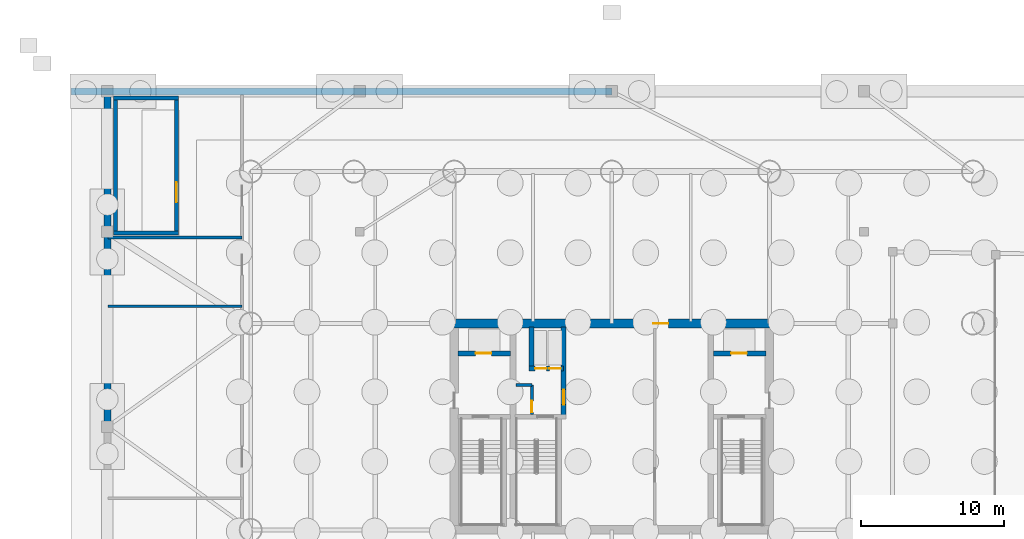
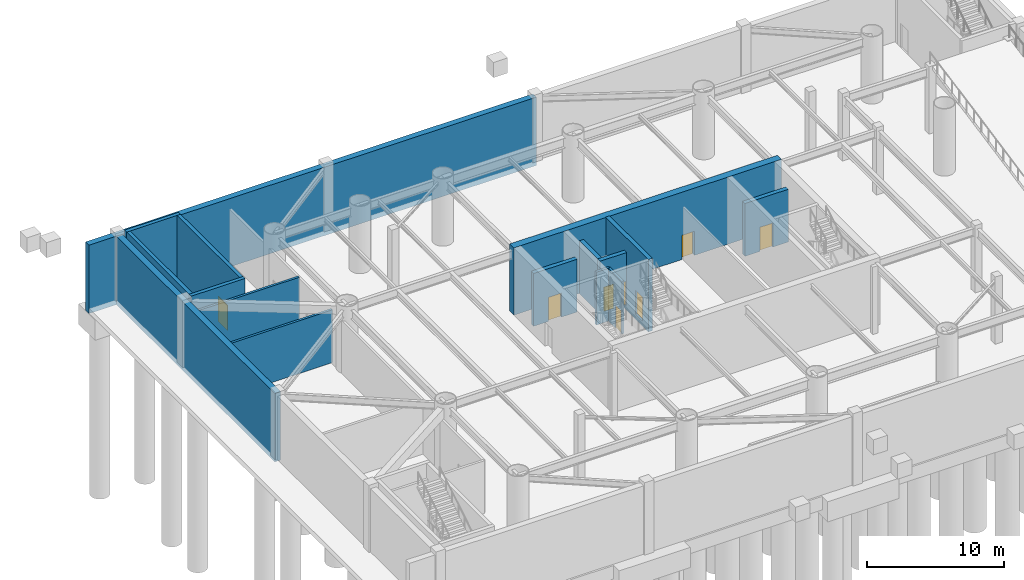
# One storey, part 5 of 12: 16 walls, 8 doors, 8 openings.
"""IFC4 building model written with IfcOpenShell, lengths in metres."""

import ifcopenshell
import ifcopenshell.guid

model = None  # the IFC model being written
_history = None  # IfcOwnerHistory: only IFC2X3 demands one
_inside = {}  # id of a spatial element -> (the spatial element, [elements in it])
_under = {}  # id of a project, library or spatial element -> (it, [spatial elements below it])
_declared = {}  # id of a project -> (the project, [libraries it declares])
_typed = {}  # id of a type object -> (the type object, [elements of that type])
_made_of = {}  # id of a material, layer set ... -> (it, [elements and type objects made of it])


def new_model(schema):
    """Start an empty IFC model of exactly this schema.

    Asked for "IFC4X3", IfcOpenShell would pick the latest addendum, in which some entities
    have other attributes; the version numbers below select the first issue.
    IFC2X3 requires an IfcOwnerHistory on every rooted entity: one is made here for all.
    """
    global model, _history
    if schema == "IFC4X3":
        model = ifcopenshell.file(schema_version=(4, 3, 0, 0))
    else:
        model = ifcopenshell.file(schema=schema)
    _inside.clear()
    _under.clear()
    _declared.clear()
    _typed.clear()
    _made_of.clear()
    _history = None
    if model.schema == "IFC2X3":
        org = make("IfcOrganization", Name="unknown")
        user = make(
            "IfcPersonAndOrganization",
            ThePerson=make("IfcPerson", FamilyName="unknown"),
            TheOrganization=org,
        )
        app = make(
            "IfcApplication",
            ApplicationDeveloper=org,
            Version="unknown",
            ApplicationFullName="unknown",
            ApplicationIdentifier="unknown",
        )
        _history = make(
            "IfcOwnerHistory",
            OwningUser=user,
            OwningApplication=app,
            ChangeAction="ADDED",
            CreationDate=0,
        )
    return model


def make(cls, **values):
    """One entity of the class cls with the attributes given. An attribute that is None is left unset."""
    return model.create_entity(
        cls, **{name: value for name, value in values.items() if value is not None}
    )


def rooted(cls, **values):
    """An entity with a GlobalId (a new one), such as an element, a storey or a relation."""
    return make(cls, GlobalId=ifcopenshell.guid.new(), OwnerHistory=_history, **values)


def si_unit(unit_type, name, prefix=None):
    """IfcSIUnit, for example si_unit("LENGTHUNIT", "METRE", prefix="MILLI")."""
    return make("IfcSIUnit", UnitType=unit_type, Prefix=prefix, Name=name)


def assignment(units):
    """IfcUnitAssignment: the units of a project."""
    return None if units is None else make("IfcUnitAssignment", Units=units)


def point(xyz):
    """IfcCartesianPoint."""
    return None if xyz is None else make("IfcCartesianPoint", Coordinates=xyz)


def direction(xyz):
    """IfcDirection."""
    return None if xyz is None else make("IfcDirection", DirectionRatios=xyz)


def frame(location, z_axis=None, x_axis=None):
    """IfcAxis2Placement3D, a coordinate frame: its origin and axes. An axis left out is left unset."""
    return make(
        "IfcAxis2Placement3D",
        Location=point(location),
        Axis=direction(z_axis),
        RefDirection=direction(x_axis),
    )


def frame_2d(location, x_axis=None):
    """IfcAxis2Placement2D, a coordinate frame in the plane: its origin and x axis."""
    return make(
        "IfcAxis2Placement2D", Location=point(location), RefDirection=direction(x_axis)
    )


def origin():
    """The frame at (0, 0, 0) with its axes left unset."""
    return frame((0.0, 0.0, 0.0))


def place(relative_to, where):
    """IfcLocalPlacement: puts the frame where relative to a parent placement (None: the world)."""
    return make(
        "IfcLocalPlacement", PlacementRelTo=relative_to, RelativePlacement=where
    )


def context(
    kind, dimensions, precision=None, world=None, true_north=None, identifier=None
):
    """IfcGeometricRepresentationContext, for example the 3D "Model" context."""
    return make(
        "IfcGeometricRepresentationContext",
        ContextIdentifier=identifier,
        ContextType=kind,
        CoordinateSpaceDimension=dimensions,
        Precision=precision,
        WorldCoordinateSystem=world,
        TrueNorth=true_north,
    )


def subcontext(parent, identifier, kind, view, scale=None):
    """IfcGeometricRepresentationSubContext, for example "Body" below "Model"."""
    return make(
        "IfcGeometricRepresentationSubContext",
        ContextIdentifier=identifier,
        ContextType=kind,
        ParentContext=parent,
        TargetScale=scale,
        TargetView=view,
    )


def project(units=None, contexts=None):
    """IfcProject with its units and contexts."""
    return rooted(
        "IfcProject",
        Name="project",
        RepresentationContexts=contexts,
        UnitsInContext=assignment(units),
    )


def spatial(cls, under=None, at=None, **own):
    """A site, building, storey or space (cls), placed at a placement, below another one or the project."""
    s = rooted(cls, ObjectPlacement=at, **own)
    if under is not None:
        _under.setdefault(under.id(), (under, []))[1].append(s)
    return s


def profile(cls, at=None, kind="AREA", **sizes):
    """A parametric profile (cls). Its sizes go by their IFC names, for example OverallWidth=200.0."""
    return make(cls, ProfileType=kind, Position=at, **sizes)


def rectangle(**sizes):
    """IfcRectangleProfileDef."""
    return profile("IfcRectangleProfileDef", **sizes)


def extrude(swept, where, along, depth):
    """IfcExtrudedAreaSolid: the profile swept, set in the frame where, extruded along a direction by depth."""
    return make(
        "IfcExtrudedAreaSolid",
        SweptArea=swept,
        Position=where,
        ExtrudedDirection=direction(along),
        Depth=depth,
    )


def shape(context_of_items, identifier, shape_type, items):
    """IfcShapeRepresentation: the items that make up one representation, for example the "Body"."""
    return make(
        "IfcShapeRepresentation",
        ContextOfItems=context_of_items,
        RepresentationIdentifier=identifier,
        RepresentationType=shape_type,
        Items=items,
    )


def material(Name=None, Category=None):
    """IfcMaterial."""
    return make("IfcMaterial", Name=Name, Category=Category)


def layer(
    of_material, thickness, ventilated=None, Name=None, Category=None, Priority=None
):
    """IfcMaterialLayer: one layer of a wall or slab, of a material (None: an air gap)."""
    return make(
        "IfcMaterialLayer",
        Material=of_material,
        LayerThickness=thickness,
        IsVentilated=ventilated,
        Name=Name,
        Category=Category,
        Priority=Priority,
    )


def layer_set(layers, Name=None):
    """IfcMaterialLayerSet."""
    return make("IfcMaterialLayerSet", MaterialLayers=layers, LayerSetName=Name)


def made_of(thing, what):
    """Note that an element or type object is made of a material, layer set ...; save() writes the relation."""
    if what is not None:
        _made_of.setdefault(what.id(), (what, []))[1].append(thing)
    return thing


def type_object(cls, material=None, **own):
    """A type object (cls), such as IfcWallType, which elements share."""
    return made_of(rooted(cls, **own), material)


def element(
    cls,
    number,
    at=None,
    inside=None,
    cuts=None,
    type_object=None,
    material=None,
    context=None,
    identifier="Body",
    shape_type=None,
    held_by="IfcProductDefinitionShape",
    body=None,
    shapes=None,
    **own,
):
    """One element of the class cls, such as IfcWall. Its Tag is "e" and its number.

    at: its placement. inside: the storey or other place that contains it. cuts: it is an
    opening in that element (IfcRelVoidsElement). A single representation is given by context,
    identifier, shape_type and body (its items); several are given by shapes. held_by: the class
    of the entity that holds the representations. save() writes the other relations.
    """
    e = rooted(cls, Tag="e%d" % number, ObjectPlacement=at, **own)
    if body is not None:
        shapes = [shape(context, identifier, shape_type, body)]
    if shapes is not None:
        e.Representation = make(held_by, Representations=shapes)
    if inside is not None:
        _inside.setdefault(inside.id(), (inside, []))[1].append(e)
    if cuts is not None:
        rooted(
            "IfcRelVoidsElement", RelatingBuildingElement=cuts, RelatedOpeningElement=e
        )
    if type_object is not None:
        _typed.setdefault(type_object.id(), (type_object, []))[1].append(e)
    return made_of(e, material)


def fill(opening, filler):
    """IfcRelFillsElement: the door or window that sits in an opening."""
    return rooted(
        "IfcRelFillsElement",
        RelatingOpeningElement=opening,
        RelatedBuildingElement=filler,
    )


def aggregate(whole, parts):
    """IfcRelAggregates: a whole, such as a stair, and the parts it consists of."""
    return rooted("IfcRelAggregates", RelatingObject=whole, RelatedObjects=parts)


def save(model, path):
    """Write the relations noted so far, then the file.

    IfcRelAggregates (storeys below a building ...), IfcRelContainedInSpatialStructure (elements
    in a storey), IfcRelDefinesByType, IfcRelAssociatesMaterial and IfcRelDeclares: one each for
    every whole, place, type object, material and project.
    """
    for whole, parts in _under.values():
        aggregate(whole, parts)
    for where, things in _inside.values():
        rooted(
            "IfcRelContainedInSpatialStructure",
            RelatedElements=things,
            RelatingStructure=where,
        )
    for kind, things in _typed.values():
        rooted("IfcRelDefinesByType", RelatedObjects=things, RelatingType=kind)
    for what, things in _made_of.values():
        rooted("IfcRelAssociatesMaterial", RelatedObjects=things, RelatingMaterial=what)
    for by, libraries in _declared.values():
        rooted("IfcRelDeclares", RelatingContext=by, RelatedDefinitions=libraries)
    model.write(path)


model = new_model("IFC4")

# Units and contexts
model_context = context("Model", 3, precision=1e-05, world=origin(), true_north=direction((0.0, 1.0)))
body_context = subcontext(model_context, "Body", "Model", "MODEL_VIEW")
ifc_project = project(units=[si_unit("LENGTHUNIT", "METRE"), si_unit("AREAUNIT", "SQUARE_METRE"), si_unit("VOLUMEUNIT", "CUBIC_METRE"), si_unit("PLANEANGLEUNIT", "RADIAN"), si_unit("MASSUNIT", "GRAM", prefix="KILO")], contexts=[model_context])

# Site, building, storey
site_placement = place(None, origin())
site = spatial("IfcSite", under=ifc_project, at=site_placement, CompositionType="ELEMENT")
building_placement = place(site_placement, origin())
building = spatial("IfcBuilding", under=site, at=building_placement, Name="Bramvorn Convention Spire", CompositionType="ELEMENT")
storey_placement = place(building_placement, frame((0.0, 0.0, -6.0)))
storey = spatial("IfcBuildingStorey", under=building, at=storey_placement, Name="B1", CompositionType="ELEMENT", Elevation=-6.0)

# Walls
ifc_material_1 = material(Name="Concrete C60/70", Category="concrete")
ifc_layer_1 = layer(ifc_material_1, 0.5)
ifc_layer_set_1 = layer_set([ifc_layer_1], Name="Concrete C60/70 - WL-BSMT-RET-500")
wall_type_1 = type_object("IfcWallType", Name="WL-BSMT-RET-500", PredefinedType="USERDEFINED", material=ifc_layer_set_1)
wall_1_placement = place(storey_placement, frame((0.25, 49.39990234375, -0.449951171875), z_axis=(0.0, 0.0, 1.0), x_axis=(1.0, 0.0, 0.0)))
element("IfcWall", 1, at=wall_1_placement, inside=storey, type_object=wall_type_1, Name="B1 basement retaining wall N1", ObjectType="RETAINING WALL", PredefinedType="USERDEFINED", context=body_context, shape_type="SweptSolid", body=[
    extrude(rectangle(XDim=37.75, YDim=0.5, at=frame_2d((18.875, 0.0))), origin(), (0.0, 0.0, 1.0), 6.099853515625),
])
wall_2_placement = place(storey_placement, frame((2.800048828125, 26.0, -0.449951171875), z_axis=(0.0, 0.0, 1.0), x_axis=(0.0, 1.0, 0.0)))
element("IfcWall", 2, at=wall_2_placement, inside=storey, type_object=wall_type_1, Name="B1 basement retaining wall W2", ObjectType="RETAINING WALL", PredefinedType="USERDEFINED", context=body_context, shape_type="SweptSolid", body=[
    extrude(rectangle(XDim=23.14990234375, YDim=0.5, at=frame_2d((11.574951171875, 0.0))), origin(), (0.0, 0.0, 1.0), 6.099853515625),
])

# Wall, opening, door
ifc_layer_2 = layer(ifc_material_1, 0.60009765625)
ifc_layer_set_2 = layer_set([ifc_layer_2], Name="Concrete C60/70 - WL-CORE-600")
wall_type_2 = type_object("IfcWallType", Name="WL-CORE-600", PredefinedType="SHEAR", material=ifc_layer_set_2)
wall_3_placement = place(storey_placement, frame((26.699951171875, 33.199951171875, 0.0), z_axis=(0.0, 0.0, 1.0), x_axis=(1.0, 0.0, 0.0)))
wall_3 = element("IfcWall", 3, at=wall_3_placement, inside=storey, type_object=wall_type_2, Name="B1 North RC core shear wall", PredefinedType="SHEAR", context=body_context, shape_type="SweptSolid", body=[
    extrude(rectangle(XDim=22.60009765625, YDim=0.60009765625, at=frame_2d((11.300048828125, 0.0))), origin(), (0.0, 0.0, 1.0), 6.0),
])
opening_1_placement = place(wall_3_placement, frame((14.199951171875, 0.0, 0.0)))
opening_1 = element("IfcOpeningElement", 4, at=opening_1_placement, cuts=wall_3, Name="Opening DL-105", PredefinedType="OPENING", context=body_context, shape_type="SweptSolid", body=[
    extrude(rectangle(XDim=1.050048828125, YDim=2.14990234375, at=frame_2d((0.52490234375, 1.074951171875))), frame((0.0, 0.31005859375, 0.0), z_axis=(0.0, -1.0, 0.0), x_axis=(1.0, 0.0, 0.0)), (0.0, 0.0, 1.0), 0.6201171875),
])
ifc_material_2 = material(Name="Smoke-Sealed Fire Lobby Timber-Core Door", Category="wood")
door_type_1 = type_object("IfcDoorType", Name="DR-LOBBY-1050", OperationType="NOTDEFINED", PredefinedType="DOOR", material=ifc_material_2)
door_1_placement = place(opening_1_placement, origin())
door_1 = element("IfcDoor", 5, at=door_1_placement, inside=storey, type_object=door_type_1, Name="B1 Core Lobby door", OperationType="SINGLE_SWING_LEFT", OverallHeight=2.14990234375, OverallWidth=1.050048828125, PredefinedType="DOOR", context=body_context, shape_type="SweptSolid", body=[
    extrude(rectangle(XDim=1.050048828125, YDim=2.14990234375, at=frame_2d((0.52490234375, 1.074951171875))), frame((0.0, 0.02490234375, 0.0), z_axis=(0.0, -1.0, 0.0), x_axis=(1.0, 0.0, 0.0)), (0.0, 0.0, 1.0), 0.050048828125),
])
fill(opening_1, door_1)

ifc_material_3 = material(Name="Concrete C50/60", Category="concrete")
ifc_layer_3 = layer(ifc_material_3, 0.35009765625)
ifc_layer_set_3 = layer_set([ifc_layer_3], Name="Concrete C50/60 - WL-CORE-INT-350")
wall_type_3 = type_object("IfcWallType", Name="WL-CORE-INT-350", PredefinedType="SHEAR", material=ifc_layer_set_3)
wall_4_placement = place(storey_placement, frame((27.25, 31.1201171875, 0.0), z_axis=(0.0, 0.0, 1.0), x_axis=(1.0, 0.0, 0.0)))
wall_4 = element("IfcWall", 6, at=wall_4_placement, inside=storey, type_object=wall_type_3, Name="B1 FE1 shaft front wall", PredefinedType="SHEAR", context=body_context, shape_type="SweptSolid", body=[
    extrude(rectangle(XDim=3.669921875, YDim=0.35009765625, at=frame_2d((1.8349609375, 0.0))), origin(), (0.0, 0.0, 1.0), 4.7099609375),
])
opening_2_placement = place(wall_4_placement, frame((1.25, 0.0, 0.0)))
opening_2 = element("IfcOpeningElement", 7, at=opening_2_placement, cuts=wall_4, Name="Opening LD-110", PredefinedType="OPENING", context=body_context, shape_type="SweptSolid", body=[
    extrude(rectangle(XDim=1.10009765625, YDim=2.14990234375, at=frame_2d((0.550048828125, 1.074951171875))), frame((0.0, 0.18505859375, 0.0), z_axis=(0.0, -1.0, 0.0), x_axis=(1.0, 0.0, 0.0)), (0.0, 0.0, 1.0), 0.3701171875),
])
ifc_material_4 = material(Name="Firefighting & Service Lift Sliding Landing Door", Category="steel")
door_type_2 = type_object("IfcDoorType", Name="DR-LIFT-LD-1100", OperationType="NOTDEFINED", PredefinedType="DOOR", material=ifc_material_4)
door_2_placement = place(opening_2_placement, origin())
door_2 = element("IfcDoor", 8, at=door_2_placement, inside=storey, type_object=door_type_2, Name="B1 Lift FE1 Sliding Landing Door", OperationType="SLIDING_TO_LEFT", OverallHeight=2.14990234375, OverallWidth=1.10009765625, PredefinedType="DOOR", context=body_context, shape_type="SweptSolid", body=[
    extrude(rectangle(XDim=1.10009765625, YDim=2.14990234375, at=frame_2d((0.550048828125, 1.074951171875))), frame((0.0, 0.02490234375, 0.0), z_axis=(0.0, -1.0, 0.0), x_axis=(1.0, 0.0, 0.0)), (0.0, 0.0, 1.0), 0.050048828125),
])
fill(opening_2, door_2)

wall_5_placement = place(storey_placement, frame((45.080078125, 31.1201171875, 0.0), z_axis=(0.0, 0.0, 1.0), x_axis=(1.0, 0.0, 0.0)))
wall_5 = element("IfcWall", 9, at=wall_5_placement, inside=storey, type_object=wall_type_3, Name="B1 FE2 shaft front wall", PredefinedType="SHEAR", context=body_context, shape_type="SweptSolid", body=[
    extrude(rectangle(XDim=3.669921875, YDim=0.35009765625, at=frame_2d((1.8349609375, 0.0))), origin(), (0.0, 0.0, 1.0), 4.7099609375),
])
opening_3_placement = place(wall_5_placement, frame((1.25, 0.0, 0.0)))
opening_3 = element("IfcOpeningElement", 10, at=opening_3_placement, cuts=wall_5, Name="Opening LD-110", PredefinedType="OPENING", context=body_context, shape_type="SweptSolid", body=[
    extrude(rectangle(XDim=1.10009765625, YDim=2.14990234375, at=frame_2d((0.550048828125, 1.074951171875))), frame((0.0, 0.18505859375, 0.0), z_axis=(0.0, -1.0, 0.0), x_axis=(1.0, 0.0, 0.0)), (0.0, 0.0, 1.0), 0.3701171875),
])
door_3_placement = place(opening_3_placement, origin())
door_3 = element("IfcDoor", 11, at=door_3_placement, inside=storey, type_object=door_type_2, Name="B1 Lift FE2 Sliding Landing Door", OperationType="SLIDING_TO_LEFT", OverallHeight=2.14990234375, OverallWidth=1.10009765625, PredefinedType="DOOR", context=body_context, shape_type="SweptSolid", body=[
    extrude(rectangle(XDim=1.10009765625, YDim=2.14990234375, at=frame_2d((0.550048828125, 1.074951171875))), frame((0.0, 0.02490234375, 0.0), z_axis=(0.0, -1.0, 0.0), x_axis=(1.0, 0.0, 0.0)), (0.0, 0.0, 1.0), 0.050048828125),
])
fill(opening_3, door_3)

wall_6_placement = place(storey_placement, frame((34.639892578125, 26.68994140625, -0.449951171875), z_axis=(0.0, 0.0, 1.0), x_axis=(0.0, 1.0, 0.0)))
wall_6 = element("IfcWall", 12, at=wall_6_placement, inside=storey, type_object=wall_type_3, Name="B1 SV east core shaft wall", PredefinedType="SHEAR", context=body_context, shape_type="SweptSolid", body=[
    extrude(rectangle(XDim=6.260009765625, YDim=0.35009765625, at=frame_2d((3.1298828125, 0.0))), origin(), (0.0, 0.0, 1.0), 6.449951171875),
])
opening_4_placement = place(wall_6_placement, frame((0.85009765625, 0.0, 0.449951171875)))
opening_4 = element("IfcOpeningElement", 13, at=opening_4_placement, cuts=wall_6, Name="Opening DL-105", PredefinedType="OPENING", context=body_context, shape_type="SweptSolid", body=[
    extrude(rectangle(XDim=1.050048828125, YDim=2.14990234375, at=frame_2d((0.52490234375, 1.074951171875))), frame((0.0, 0.18505859375, 0.0), z_axis=(0.0, -1.0, 0.0), x_axis=(1.0, 0.0, 0.0)), (0.0, 0.0, 1.0), 0.3701171875),
])
door_4_placement = place(opening_4_placement, origin())
door_4 = element("IfcDoor", 14, at=door_4_placement, inside=storey, type_object=door_type_1, Name="B1 Core cross-passage door", OperationType="SINGLE_SWING_RIGHT", OverallHeight=2.14990234375, OverallWidth=1.050048828125, PredefinedType="DOOR", context=body_context, shape_type="SweptSolid", body=[
    extrude(rectangle(XDim=1.050048828125, YDim=2.14990234375, at=frame_2d((0.52490234375, 1.074951171875))), frame((0.0, 0.02490234375, 0.0), z_axis=(0.0, -1.0, 0.0), x_axis=(1.0, 0.0, 0.0)), (0.0, 0.0, 1.0), 0.050048828125),
])
fill(opening_4, door_4)

# Wall, openings, doors
wall_7_placement = place(storey_placement, frame((32.22998046875, 30.050048828125, 0.0), z_axis=(0.0, 0.0, 1.0), x_axis=(1.0, 0.0, 0.0)))
wall_7 = element("IfcWall", 15, at=wall_7_placement, inside=storey, type_object=wall_type_3, Name="B1 SV1/SV2 shaft front wall", PredefinedType="SHEAR", context=body_context, shape_type="SweptSolid", body=[
    extrude(rectangle(XDim=2.409912109375, YDim=0.35009765625, at=frame_2d((1.205078125, 0.0))), origin(), (0.0, 0.0, 1.0), 4.7099609375),
])
opening_5_placement = place(wall_7_placement, frame((0.419921875, 0.0, 0.0)))
opening_5 = element("IfcOpeningElement", 16, at=opening_5_placement, cuts=wall_7, Name="Opening LD-080", PredefinedType="OPENING", context=body_context, shape_type="SweptSolid", body=[
    extrude(rectangle(XDim=0.800048828125, YDim=2.14990234375, at=frame_2d((0.39990234375, 1.074951171875))), frame((0.0, 0.18505859375, 0.0), z_axis=(0.0, -1.0, 0.0), x_axis=(1.0, 0.0, 0.0)), (0.0, 0.0, 1.0), 0.3701171875),
])
opening_6_placement = place(wall_7_placement, frame((1.419921875, 0.0, 0.0)))
opening_6 = element("IfcOpeningElement", 17, at=opening_6_placement, cuts=wall_7, Name="Opening LD-080", PredefinedType="OPENING", context=body_context, shape_type="SweptSolid", body=[
    extrude(rectangle(XDim=0.800048828125, YDim=2.14990234375, at=frame_2d((0.39990234375, 1.074951171875))), frame((0.0, 0.18505859375, 0.0), z_axis=(0.0, -1.0, 0.0), x_axis=(1.0, 0.0, 0.0)), (0.0, 0.0, 1.0), 0.3701171875),
])
ifc_material_5 = material(Name="Service Lift Bi-Parting Landing Door", Category="steel")
door_type_3 = type_object("IfcDoorType", Name="DR-LIFT-LD-800", OperationType="NOTDEFINED", PredefinedType="DOOR", material=ifc_material_5)
door_5_placement = place(opening_5_placement, origin())
door_5 = element("IfcDoor", 18, at=door_5_placement, inside=storey, type_object=door_type_3, Name="B1 Lift SV1 Sliding Landing Door", OperationType="SLIDING_TO_LEFT", OverallHeight=2.14990234375, OverallWidth=0.800048828125, PredefinedType="DOOR", context=body_context, shape_type="SweptSolid", body=[
    extrude(rectangle(XDim=0.800048828125, YDim=2.14990234375, at=frame_2d((0.39990234375, 1.074951171875))), frame((0.0, 0.02490234375, 0.0), z_axis=(0.0, -1.0, 0.0), x_axis=(1.0, 0.0, 0.0)), (0.0, 0.0, 1.0), 0.050048828125),
])
fill(opening_5, door_5)
door_6_placement = place(opening_6_placement, origin())
door_6 = element("IfcDoor", 19, at=door_6_placement, inside=storey, type_object=door_type_3, Name="B1 Lift SV2 Sliding Landing Door", OperationType="SLIDING_TO_LEFT", OverallHeight=2.14990234375, OverallWidth=0.800048828125, PredefinedType="DOOR", context=body_context, shape_type="SweptSolid", body=[
    extrude(rectangle(XDim=0.800048828125, YDim=2.14990234375, at=frame_2d((0.39990234375, 1.074951171875))), frame((0.0, 0.02490234375, 0.0), z_axis=(0.0, -1.0, 0.0), x_axis=(1.0, 0.0, 0.0)), (0.0, 0.0, 1.0), 0.050048828125),
])
fill(opening_6, door_6)

# Wall
wall_8_placement = place(storey_placement, frame((32.39990234375, 30.219970703125, 0.0), z_axis=(0.0, 0.0, 1.0), x_axis=(0.0, 1.0, 0.0)))
element("IfcWall", 20, at=wall_8_placement, inside=storey, type_object=wall_type_3, Name="B1 SV1 west hoistway wall", PredefinedType="SHEAR", context=body_context, shape_type="SweptSolid", body=[
    extrude(rectangle(XDim=2.72998046875, YDim=0.35009765625, at=frame_2d((1.364990234375, 0.0))), origin(), (0.0, 0.0, 1.0), 4.7099609375),
])

# Wall, opening, door
ifc_material_6 = material(Name="Gypsum Shaftwall & Rockwool Core Partition", Category="gypsum")
ifc_layer_4 = layer(ifc_material_6, 0.199951171875)
ifc_layer_set_4 = layer_set([ifc_layer_4], Name="Gypsum Shaftwall & Rockwool Core Partition - WL-PART-200-FR")
wall_type_4 = type_object("IfcWallType", Name="WL-PART-200-FR", PredefinedType="PARTITIONING", material=ifc_layer_set_4)
wall_9_placement = place(storey_placement, frame((32.419921875, 26.860107421875, 0.0), z_axis=(0.0, 0.0, 1.0), x_axis=(0.0, 1.0, 0.0)))
wall_9 = element("IfcWall", 21, at=wall_9_placement, inside=storey, type_object=wall_type_4, Name="B1 Telecom riser east wall", PredefinedType="PARTITIONING", context=body_context, shape_type="SweptSolid", body=[
    extrude(rectangle(XDim=2.039794921875, YDim=0.199951171875, at=frame_2d((1.02001953125, 0.0))), origin(), (0.0, 0.0, 1.0), 4.7099609375),
])
opening_7_placement = place(wall_9_placement, frame((0.139892578125, 0.0, 0.0)))
opening_7 = element("IfcOpeningElement", 22, at=opening_7_placement, cuts=wall_9, Name="Opening DR-080", PredefinedType="OPENING", context=body_context, shape_type="SweptSolid", body=[
    extrude(rectangle(XDim=0.800048828125, YDim=2.050048828125, at=frame_2d((0.39990234375, 1.02490234375))), frame((0.0, 0.10986328125, 0.0), z_axis=(0.0, -1.0, 0.0), x_axis=(1.0, 0.0, 0.0)), (0.0, 0.0, 1.0), 0.219970703125),
])
ifc_material_7 = material(Name="Flush Steel Riser Access Door", Category="steel")
door_type_4 = type_object("IfcDoorType", Name="DR-RISER-800", OperationType="NOTDEFINED", PredefinedType="DOOR", material=ifc_material_7)
door_7_placement = place(opening_7_placement, origin())
door_7 = element("IfcDoor", 23, at=door_7_placement, inside=storey, type_object=door_type_4, Name="B1 Telecom riser access door", OperationType="SINGLE_SWING_RIGHT", OverallHeight=2.050048828125, OverallWidth=0.800048828125, PredefinedType="DOOR", context=body_context, shape_type="SweptSolid", body=[
    extrude(rectangle(XDim=0.800048828125, YDim=2.050048828125, at=frame_2d((0.39990234375, 1.02490234375))), frame((0.0, 0.02490234375, 0.0), z_axis=(0.0, -1.0, 0.0), x_axis=(1.0, 0.0, 0.0)), (0.0, 0.0, 1.0), 0.050048828125),
])
fill(opening_7, door_7)

# Walls
wall_10_placement = place(storey_placement, frame((31.300048828125, 28.89990234375, 0.0), z_axis=(0.0, 0.0, 1.0), x_axis=(1.0, 0.0, 0.0)))
element("IfcWall", 24, at=wall_10_placement, inside=storey, type_object=wall_type_4, Name="B1 Telecom riser north wall", PredefinedType="PARTITIONING", context=body_context, shape_type="SweptSolid", body=[
    extrude(rectangle(XDim=1.119873046875, YDim=0.199951171875, at=frame_2d((0.56005859375, 0.0))), origin(), (0.0, 0.0, 1.0), 4.7099609375),
])
for number, where, z_axis, x_axis, name in (
    (25, (2.85009765625, 34.39990234375, 0.0), (0.0, 0.0, 1.0), (1.0, 0.0, 0.0), "B1 Primary High-Voltage Substation & Switchgear Room divider"),
    (26, (2.85009765625, 39.199951171875, 0.0), (0.0, 0.0, 1.0), (1.0, 0.0, 0.0), "B1 Emergency Standby Generator & ATS Plant Room divider"),
):
    element("IfcWall", number, at=place(storey_placement, frame(where, z_axis=z_axis, x_axis=x_axis)), inside=storey, type_object=wall_type_4, Name=name, PredefinedType="PARTITIONING", context=body_context, shape_type="SweptSolid", body=[
        extrude(rectangle(XDim=9.349853515625, YDim=0.199951171875, at=frame_2d((4.6748046875, 0.0))), origin(), (0.0, 0.0, 1.0), 4.7099609375),
    ])
ifc_layer_5 = layer(ifc_material_3, 0.300048828125)
ifc_layer_set_5 = layer_set([ifc_layer_5], Name="Concrete C50/60 - WL-POD-STAIR-300")
wall_type_5 = type_object("IfcWallType", Name="WL-POD-STAIR-300", PredefinedType="SHEAR", material=ifc_layer_set_5)
for number, where, z_axis, x_axis, name in (
    (27, (3.2099609375, 39.510009765625, -0.449951171875), (0.0, 0.0, 1.0), (1.0, 0.0, 0.0), "B1 ST6 south foundation wall"),
    (28, (3.2099609375, 48.93994140625, -0.449951171875), (0.0, 0.0, 1.0), (1.0, 0.0, 0.0), "B1 ST6 north foundation wall"),
):
    element("IfcWall", number, at=place(storey_placement, frame(where, z_axis=z_axis, x_axis=x_axis)), inside=storey, type_object=wall_type_5, Name=name, PredefinedType="SHEAR", context=body_context, shape_type="SweptSolid", body=[
        extrude(rectangle(XDim=4.56005859375, YDim=0.300048828125, at=frame_2d((2.280029296875, 0.0))), origin(), (0.0, 0.0, 1.0), 6.449951171875),
    ])
wall_11_placement = place(storey_placement, frame((3.360107421875, 39.659912109375, -0.449951171875), z_axis=(0.0, 0.0, 1.0), x_axis=(0.0, 1.0, 0.0)))
element("IfcWall", 29, at=wall_11_placement, inside=storey, type_object=wall_type_5, Name="B1 ST6 west foundation wall", PredefinedType="SHEAR", context=body_context, shape_type="SweptSolid", body=[
    extrude(rectangle(XDim=9.130126953125, YDim=0.300048828125, at=frame_2d((4.56494140625, 0.0))), origin(), (0.0, 0.0, 1.0), 6.449951171875),
])

# Wall, opening, door
wall_12_placement = place(storey_placement, frame((7.6201171875, 39.659912109375, -0.449951171875), z_axis=(0.0, 0.0, 1.0), x_axis=(0.0, 1.0, 0.0)))
wall_12 = element("IfcWall", 30, at=wall_12_placement, inside=storey, type_object=wall_type_5, Name="B1 ST6 east foundation wall", PredefinedType="SHEAR", context=body_context, shape_type="SweptSolid", body=[
    extrude(rectangle(XDim=9.130126953125, YDim=0.300048828125, at=frame_2d((4.56494140625, 0.0))), origin(), (0.0, 0.0, 1.0), 6.449951171875),
])
opening_8_placement = place(wall_12_placement, frame((2.0, 0.0, 0.449951171875)))
opening_8 = element("IfcOpeningElement", 31, at=opening_8_placement, cuts=wall_12, Name="Opening DP-140", PredefinedType="OPENING", context=body_context, shape_type="SweptSolid", body=[
    extrude(rectangle(XDim=1.39990234375, YDim=2.25, at=frame_2d((0.699951171875, 1.125))), frame((0.0, 0.159912109375, 0.0), z_axis=(0.0, -1.0, 0.0), x_axis=(1.0, 0.0, 0.0)), (0.0, 0.0, 1.0), 0.320068359375),
])
ifc_material_8 = material(Name="Heavy-Duty Acoustic Louvre Plant Room Door", Category="steel")
door_type_5 = type_object("IfcDoorType", Name="DR-PLANT-1400", OperationType="NOTDEFINED", PredefinedType="DOOR", material=ifc_material_8)
door_8_placement = place(opening_8_placement, origin())
door_8 = element("IfcDoor", 32, at=door_8_placement, inside=storey, type_object=door_type_5, Name="B1 NW Under-Stair Storage Vault door", OperationType="DOUBLE_DOOR_SINGLE_SWING", OverallHeight=2.25, OverallWidth=1.39990234375, PredefinedType="DOOR", context=body_context, shape_type="SweptSolid", body=[
    extrude(rectangle(XDim=1.39990234375, YDim=2.25, at=frame_2d((0.699951171875, 1.125))), frame((0.0, 0.02490234375, 0.0), z_axis=(0.0, -1.0, 0.0), x_axis=(1.0, 0.0, 0.0)), (0.0, 0.0, 1.0), 0.050048828125),
])
fill(opening_8, door_8)

save(model, "model.ifc")
